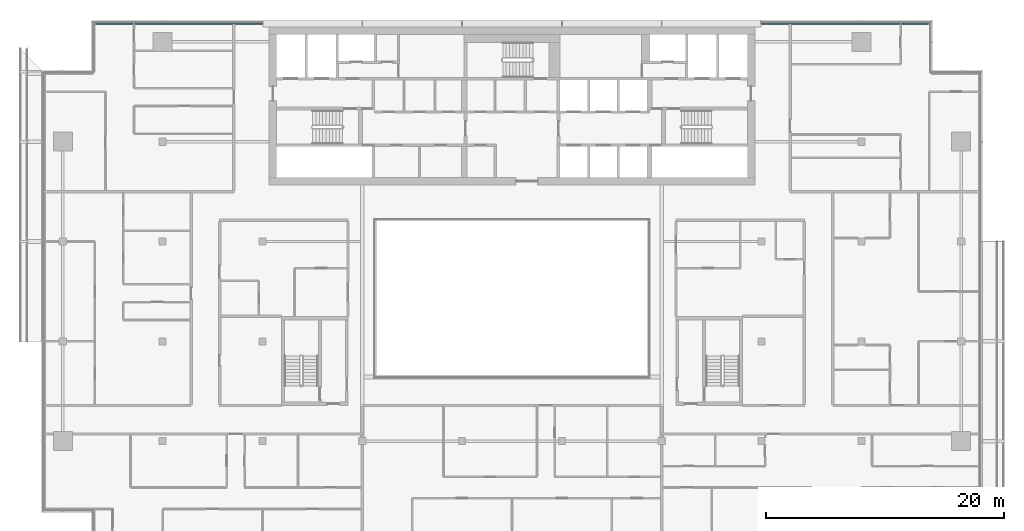
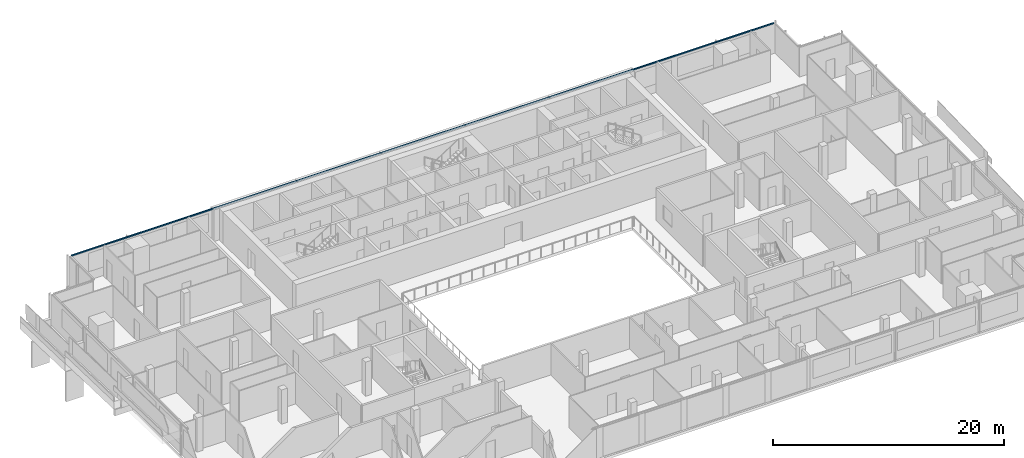
# One storey, part 8 of 28: 1 member, 1 element without a shape of its own.
"""IFC4 building model written with IfcOpenShell, lengths in metres."""

from ifc_helpers import new_model, si_unit, direction, frame, origin, origin_2d, place, context, subcontext, project, spatial, rectangle, extrude, material, material_profile, profile_set, type_object, element, aggregate, save


model = new_model("IFC4")

# Units and contexts
model_context = context("Model", 3, precision=1e-05, world=origin(), true_north=direction((0.0, 1.0)))
body_context = subcontext(model_context, "Body", "Model", "MODEL_VIEW")
ifc_project = project(units=[si_unit("LENGTHUNIT", "METRE"), si_unit("AREAUNIT", "SQUARE_METRE"), si_unit("VOLUMEUNIT", "CUBIC_METRE"), si_unit("PLANEANGLEUNIT", "RADIAN"), si_unit("MASSUNIT", "GRAM", prefix="KILO")], contexts=[model_context])

# Site, building, storey
site_placement = place(None, origin())
site = spatial("IfcSite", under=ifc_project, at=site_placement, CompositionType="ELEMENT")
building_placement = place(site_placement, origin())
building = spatial("IfcBuilding", under=site, at=building_placement, Name="Saffron Gate Tower", CompositionType="ELEMENT")
storey_placement = place(building_placement, frame((0.0, 0.0, 241.5)))
storey = spatial("IfcBuildingStorey", under=building, at=storey_placement, Name="L59", CompositionType="ELEMENT", Elevation=241.5)

# Curtain wall, member
ifc_material = material(Name="Aluminium, bronze anodised", Category="aluminium")
curtain_wall_type = type_object("IfcCurtainWallType", Name="CWS3 curtain wall rear facade", PredefinedType="NOTDEFINED", material=ifc_material)
curtain_wall_placement = place(storey_placement, origin())
curtain_wall = element("IfcCurtainWall", 1, at=curtain_wall_placement, inside=storey, type_object=curtain_wall_type, Name="CWS3 run 7", PredefinedType="NOTDEFINED")
ifc_material_profile = material_profile(ifc_material, rectangle(XDim=0.1201171875, YDim=0.1201171875, at=origin_2d()))
ifc_profile_set = profile_set([ifc_material_profile], Name="Aluminium, bronze anodised")
member_type = type_object("IfcMemberType", Name="CWS3 head transom", PredefinedType="USERDEFINED", material=ifc_profile_set)
member_placement = place(storey_placement, frame((122.632080078125, 75.35205078125, 3.260009765625), z_axis=(-1.0, 0.0, 0.0), x_axis=(0.0, -1.0, 0.0)))
member = element("IfcMember", 2, at=member_placement, type_object=member_type, Name="CWS3 head transom", ObjectType="TRANSOM", PredefinedType="USERDEFINED", context=body_context, shape_type="SweptSolid", body=[
    extrude(rectangle(XDim=0.1201171875, YDim=0.1201171875, at=origin_2d()), origin(), (0.0, 0.0, 1.0), 70.06396484375),
])
aggregate(curtain_wall, [member])

save(model, "model.ifc")
